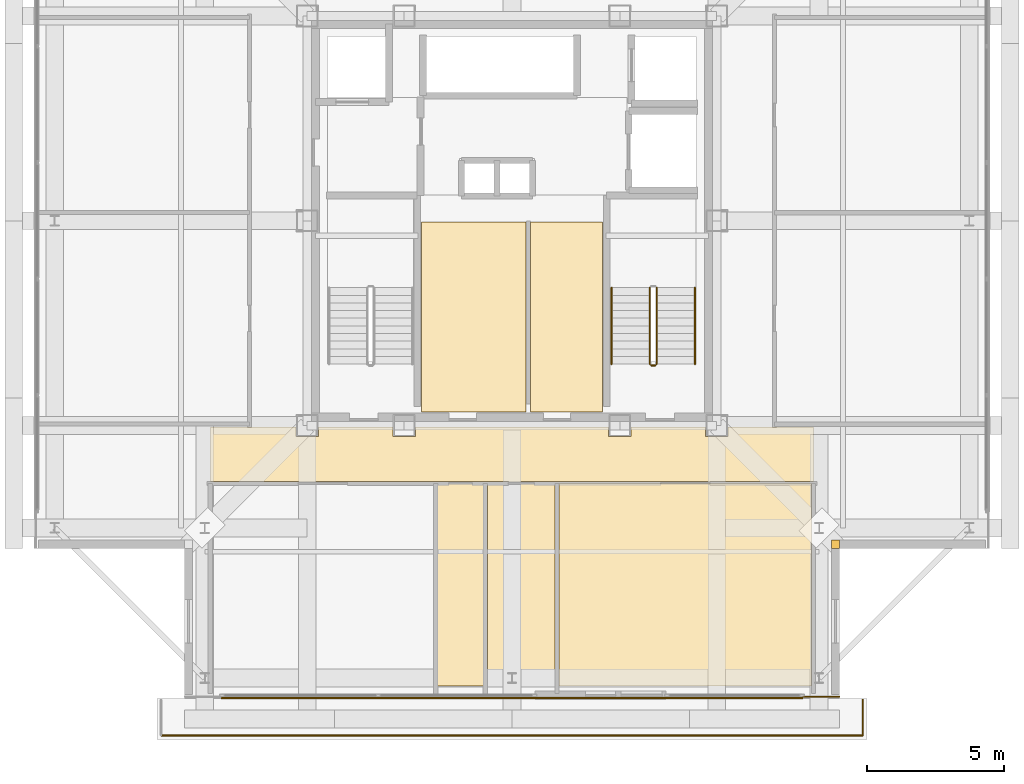
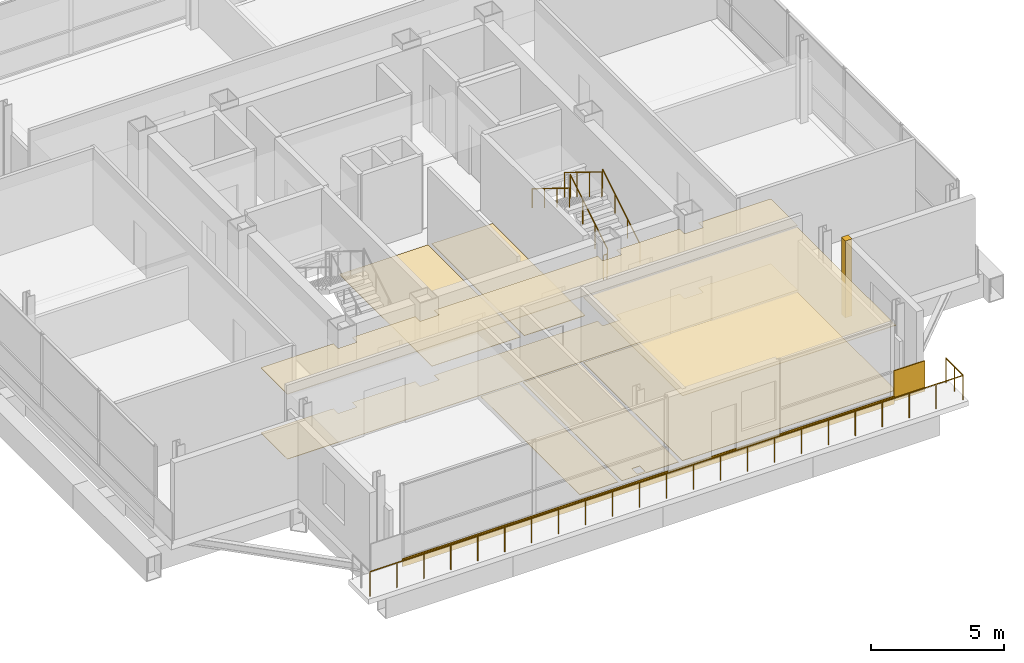
# One storey, part 12 of 15: 11 coverings, 7 railings.
"""IFC4 building model written with IfcOpenShell, lengths in metres."""

from ifc_helpers import new_model, si_unit, direction, frame, frame_2d, origin, origin_2d, place, context, subcontext, project, spatial, polyline, rectangle, circle, outline, extrude, material, layer, layer_set, type_object, element, save


model = new_model("IFC4")

# Units and contexts
model_context = context("Model", 3, precision=1e-05, world=origin(), true_north=direction((0.0, 1.0)))
body_context = subcontext(model_context, "Body", "Model", "MODEL_VIEW")
ifc_project = project(units=[si_unit("LENGTHUNIT", "METRE"), si_unit("AREAUNIT", "SQUARE_METRE"), si_unit("VOLUMEUNIT", "CUBIC_METRE"), si_unit("PLANEANGLEUNIT", "RADIAN"), si_unit("MASSUNIT", "GRAM", prefix="KILO")], contexts=[model_context])

# Site, building, storey
site_placement = place(None, origin())
site = spatial("IfcSite", under=ifc_project, at=site_placement, CompositionType="ELEMENT")
building_placement = place(site_placement, origin())
building = spatial("IfcBuilding", under=site, at=building_placement, Name="Trevonay Congress Spire", CompositionType="ELEMENT")
storey_placement = place(building_placement, frame((0.0, 0.0, 300.800048828125)))
storey = spatial("IfcBuildingStorey", under=building, at=storey_placement, Name="L79", CompositionType="ELEMENT", Elevation=300.800048828125)

# Coverings
ifc_material_1 = material(Name="Acoustic Mineral Fibre Board", Category="gypsum")
ifc_layer_1 = layer(ifc_material_1, 0.02490234375, Name="Acoustic Mineral Fibre Board")
ifc_layer_set_1 = layer_set([ifc_layer_1], Name="Acoustic Mineral Fibre Board")
covering_type_1 = type_object("IfcCoveringType", Name="COV-CEIL-ACOUSTIC", PredefinedType="CEILING", material=ifc_layer_set_1)
covering_1_placement = place(storey_placement, frame((0.0, 0.0, 2.969970703125)))
element("IfcCovering", 1, at=covering_1_placement, inside=storey, type_object=covering_type_1, Name="L79 Crown Gallery Corridor South acoustic suspended ceiling", PredefinedType="CEILING", context=body_context, shape_type="SweptSolid", body=[
    extrude(outline(polyline([(11.050048828125, -7.550048828125), (11.050048828125, -9.550048828125), (-11.050048828125, -9.550048828125), (-11.050048828125, -7.550048828125), (-7.909912109375, -7.550048828125), (-7.909912109375, -7.909912109375), (-7.090087890625, -7.909912109375), (-7.090087890625, -7.550048828125), (-4.360107421875, -7.550048828125), (-4.360107421875, -7.909912109375), (-3.5400390625, -7.909912109375), (-3.5400390625, -7.550048828125), (3.5400390625, -7.550048828125), (3.5400390625, -7.909912109375), (4.360107421875, -7.909912109375), (4.360107421875, -7.550048828125), (7.090087890625, -7.550048828125), (7.090087890625, -7.909912109375), (7.909912109375, -7.909912109375), (7.909912109375, -7.550048828125), (11.050048828125, -7.550048828125)])), origin(), (0.0, 0.0, 1.0), 0.02490234375),
])
covering_2_placement = place(storey_placement, frame((0.0, 0.0, 2.969970703125)))
element("IfcCovering", 2, at=covering_2_placement, inside=storey, type_object=covering_type_1, Name="L79 Crown Cocktail Bar acoustic suspended ceiling", PredefinedType="CEILING", context=body_context, shape_type="SweptSolid", body=[
    extrude(outline(polyline([(1.72998046875, -17.050048828125), (10.969970703125, -17.050048828125), (10.969970703125, -9.6201171875), (1.72998046875, -9.6201171875), (1.72998046875, -17.050048828125)])), origin(), (0.0, 0.0, 1.0), 0.02490234375),
])
ifc_material_2 = material(Name="Polished Granite Floor Tile", Category="masonry")
ifc_layer_2 = layer(ifc_material_2, 0.02001953125, Name="Polished Granite Floor Tile")
ifc_layer_set_2 = layer_set([ifc_layer_2], Name="Polished Granite Floor Tile")
covering_type_2 = type_object("IfcCoveringType", Name="COV-FLOOR-STONE", PredefinedType="FLOORING", material=ifc_layer_set_2)
covering_3_placement = place(storey_placement, origin())
element("IfcCovering", 3, at=covering_3_placement, inside=storey, type_object=covering_type_2, Name="L79 Core Electrical Sub-Board Room floor finish", PredefinedType="FLOORING", context=body_context, shape_type="SweptSolid", body=[
    extrude(outline(polyline([(-3.320068359375, -7.0), (0.52001953125, -7.0), (0.52001953125, -0.050048828125), (-3.320068359375, -0.050048828125), (-3.320068359375, -7.0)])), origin(), (0.0, 0.0, 1.0), 0.02001953125),
])
covering_4_placement = place(storey_placement, origin())
element("IfcCovering", 4, at=covering_4_placement, inside=storey, type_object=covering_type_2, Name="L79 Cleaner and Housekeeping Store floor finish", PredefinedType="FLOORING", context=body_context, shape_type="SweptSolid", body=[
    extrude(outline(polyline([(0.679931640625, -7.0), (3.320068359375, -7.0), (3.320068359375, -0.050048828125), (0.679931640625, -0.050048828125), (0.679931640625, -7.0)])), origin(), (0.0, 0.0, 1.0), 0.02001953125),
])
covering_5_placement = place(storey_placement, origin())
element("IfcCovering", 5, at=covering_5_placement, inside=storey, type_object=covering_type_2, Name="L79 Crown Gallery Corridor South floor finish", PredefinedType="FLOORING", context=body_context, shape_type="SweptSolid", body=[
    extrude(outline(polyline([(11.050048828125, -7.550048828125), (11.050048828125, -9.550048828125), (-11.050048828125, -9.550048828125), (-11.050048828125, -7.550048828125), (-7.909912109375, -7.550048828125), (-7.909912109375, -7.909912109375), (-7.090087890625, -7.909912109375), (-7.090087890625, -7.550048828125), (-4.360107421875, -7.550048828125), (-4.360107421875, -7.909912109375), (-3.5400390625, -7.909912109375), (-3.5400390625, -7.550048828125), (3.5400390625, -7.550048828125), (3.5400390625, -7.909912109375), (4.360107421875, -7.909912109375), (4.360107421875, -7.550048828125), (7.090087890625, -7.550048828125), (7.090087890625, -7.909912109375), (7.909912109375, -7.909912109375), (7.909912109375, -7.550048828125), (11.050048828125, -7.550048828125)])), origin(), (0.0, 0.0, 1.0), 0.02001953125),
])
covering_6_placement = place(storey_placement, origin())
element("IfcCovering", 6, at=covering_6_placement, inside=storey, type_object=covering_type_2, Name="L79 Accessible WC floor finish", PredefinedType="FLOORING", context=body_context, shape_type="SweptSolid", body=[
    extrude(outline(polyline([(-2.719970703125, -17.050048828125), (-1.050048828125, -17.050048828125), (-1.050048828125, -9.6201171875), (-2.719970703125, -9.6201171875), (-2.719970703125, -17.050048828125)])), origin(), (0.0, 0.0, 1.0), 0.02001953125),
])
covering_7_placement = place(storey_placement, origin())
element("IfcCovering", 7, at=covering_7_placement, inside=storey, type_object=covering_type_2, Name="L79 Floor Supplies and Copy Room floor finish", PredefinedType="FLOORING", context=body_context, shape_type="SweptSolid", body=[
    extrude(outline(polyline([(-0.889892578125, -9.6201171875), (1.570068359375, -9.6201171875), (1.570068359375, -17.050048828125), (-0.889892578125, -17.050048828125), (-0.889892578125, -9.6201171875)]), holes=[polyline([(0.1708984375, -16.946044921875), (0.1708984375, -16.553955078125), (-0.1708984375, -16.553955078125), (-0.1708984375, -16.946044921875), (0.1708984375, -16.946044921875)])]), origin(), (0.0, 0.0, 1.0), 0.02001953125),
])
covering_8_placement = place(storey_placement, origin())
element("IfcCovering", 8, at=covering_8_placement, inside=storey, type_object=covering_type_2, Name="L79 Crown Cocktail Bar floor finish", PredefinedType="FLOORING", context=body_context, shape_type="SweptSolid", body=[
    extrude(outline(polyline([(1.72998046875, -17.050048828125), (10.969970703125, -17.050048828125), (10.969970703125, -9.6201171875), (1.72998046875, -9.6201171875), (1.72998046875, -17.050048828125)])), origin(), (0.0, 0.0, 1.0), 0.02001953125),
])
ifc_material_3 = material(Name="Pale Anodised Aluminium EN AW-6063-T6", Category="aluminium")
ifc_layer_3 = layer(ifc_material_3, 0.0400390625, Name="Pale Anodised Aluminium EN AW-6063-T6")
ifc_layer_set_3 = layer_set([ifc_layer_3], Name="Pale Anodised Aluminium EN AW-6063-T6")
covering_type_3 = type_object("IfcCoveringType", Name="COV-SPANDREL-PALE-METAL", PredefinedType="CLADDING", material=ifc_layer_set_3)
covering_9_placement = place(storey_placement, frame((-10.64990234375, -17.47998046875, -0.239990234375), z_axis=(0.0, 0.0, 1.0), x_axis=(1.0, 0.0, 0.0)))
element("IfcCovering", 9, at=covering_9_placement, inside=storey, type_object=covering_type_3, Name="L79 S pale-metal slab-edge spandrel cladding", PredefinedType="CLADDING", context=body_context, shape_type="SweptSolid", body=[
    extrude(rectangle(XDim=21.2998046875, YDim=0.0400390625, at=frame_2d((10.64990234375, 0.0))), origin(), (0.0, 0.0, 1.0), 0.35986328125),
])
covering_10_placement = place(storey_placement, origin())
element("IfcCovering", 10, at=covering_10_placement, inside=storey, type_object=covering_type_3, Name="L79 SE re-entrant notch corner closure trim", PredefinedType="CLADDING", context=body_context, shape_type="SweptSolid", body=[
    extrude(outline(polyline([(11.699951171875, -12.0), (12.0, -12.0), (12.0, -11.699951171875), (11.699951171875, -11.699951171875), (11.699951171875, -12.0)])), origin(), (0.0, 0.0, 1.0), 3.52001953125),
])
covering_11_placement = place(storey_placement, frame((10.64990234375, -17.43994140625, -0.150146484375), z_axis=(0.0, 0.0, 1.0), x_axis=(1.0, 0.0, 0.0)))
element("IfcCovering", 11, at=covering_11_placement, inside=storey, type_object=covering_type_3, Name="L79 SE corner pier spandrel cladding 2", PredefinedType="CLADDING", context=body_context, shape_type="SweptSolid", body=[
    extrude(rectangle(XDim=1.35009765625, YDim=0.0400390625, at=frame_2d((0.675048828125, 0.0))), origin(), (0.0, 0.0, 1.0), 1.400146484375),
])

# Railings
railing_type_1 = type_object("IfcRailingType", Name="RAL-BALUSTRADE-115", PredefinedType="BALUSTRADE", material=ifc_material_3)
railing_1_placement = place(storey_placement, frame((-12.85009765625, -18.85009765625, 0.0)))
element("IfcRailing", 12, at=railing_1_placement, inside=storey, type_object=railing_type_1, Name="L79 perimeter safety guard GRD-L79-SKY-S-2", PredefinedType="BALUSTRADE", context=body_context, shape_type="SweptSolid", body=[
    extrude(circle(Radius=0.02392578125, at=origin_2d()), frame((0.0, 0.0, 1.1259765625), z_axis=(1.0, 0.0, 0.0), x_axis=(0.0, 1.0, 0.0)), (0.0, 0.0, 1.0), 25.7001953125),
    extrude(circle(Radius=0.02099609375, at=origin_2d()), origin(), (0.0, 0.0, 1.0), 1.101806640625),
    extrude(circle(Radius=0.02099609375, at=origin_2d()), frame((1.168212890625, 0.0, 0.0)), (0.0, 0.0, 1.0), 1.101806640625),
    extrude(circle(Radius=0.02099609375, at=origin_2d()), frame((2.33642578125, 0.0, 0.0)), (0.0, 0.0, 1.0), 1.101806640625),
    extrude(circle(Radius=0.02099609375, at=origin_2d()), frame((3.504638671875, 0.0, 0.0)), (0.0, 0.0, 1.0), 1.101806640625),
    extrude(circle(Radius=0.02099609375, at=origin_2d()), frame((4.6728515625, 0.0, 0.0)), (0.0, 0.0, 1.0), 1.101806640625),
    extrude(circle(Radius=0.02099609375, at=origin_2d()), frame((5.841064453125, 0.0, 0.0)), (0.0, 0.0, 1.0), 1.101806640625),
    extrude(circle(Radius=0.02099609375, at=origin_2d()), frame((7.009033203125, 0.0, 0.0)), (0.0, 0.0, 1.0), 1.101806640625),
    extrude(circle(Radius=0.02099609375, at=origin_2d()), frame((8.17724609375, 0.0, 0.0)), (0.0, 0.0, 1.0), 1.101806640625),
    extrude(circle(Radius=0.02099609375, at=origin_2d()), frame((9.345458984375, 0.0, 0.0)), (0.0, 0.0, 1.0), 1.101806640625),
    extrude(circle(Radius=0.02099609375, at=origin_2d()), frame((10.513671875, 0.0, 0.0)), (0.0, 0.0, 1.0), 1.101806640625),
    extrude(circle(Radius=0.02099609375, at=origin_2d()), frame((11.681884765625, 0.0, 0.0)), (0.0, 0.0, 1.0), 1.101806640625),
    extrude(circle(Radius=0.02099609375, at=origin_2d()), frame((12.85009765625, 0.0, 0.0)), (0.0, 0.0, 1.0), 1.101806640625),
    extrude(circle(Radius=0.02099609375, at=origin_2d()), frame((14.018310546875, 0.0, 0.0)), (0.0, 0.0, 1.0), 1.101806640625),
    extrude(circle(Radius=0.02099609375, at=origin_2d()), frame((15.1865234375, 0.0, 0.0)), (0.0, 0.0, 1.0), 1.101806640625),
    extrude(circle(Radius=0.02099609375, at=origin_2d()), frame((16.354736328125, 0.0, 0.0)), (0.0, 0.0, 1.0), 1.101806640625),
    extrude(circle(Radius=0.02099609375, at=origin_2d()), frame((17.52294921875, 0.0, 0.0)), (0.0, 0.0, 1.0), 1.101806640625),
    extrude(circle(Radius=0.02099609375, at=origin_2d()), frame((18.691162109375, 0.0, 0.0)), (0.0, 0.0, 1.0), 1.101806640625),
    extrude(circle(Radius=0.02099609375, at=origin_2d()), frame((19.859130859375, 0.0, 0.0)), (0.0, 0.0, 1.0), 1.101806640625),
    extrude(circle(Radius=0.02099609375, at=origin_2d()), frame((21.02734375, 0.0, 0.0)), (0.0, 0.0, 1.0), 1.101806640625),
    extrude(circle(Radius=0.02099609375, at=origin_2d()), frame((22.195556640625, 0.0, 0.0)), (0.0, 0.0, 1.0), 1.101806640625),
    extrude(circle(Radius=0.02099609375, at=origin_2d()), frame((23.36376953125, 0.0, 0.0)), (0.0, 0.0, 1.0), 1.101806640625),
    extrude(circle(Radius=0.02099609375, at=origin_2d()), frame((24.531982421875, 0.0, 0.0)), (0.0, 0.0, 1.0), 1.101806640625),
    extrude(circle(Radius=0.02099609375, at=origin_2d()), frame((25.7001953125, 0.0, 0.0)), (0.0, 0.0, 1.0), 1.101806640625),
])
railing_2_placement = place(storey_placement, frame((12.85009765625, -18.85009765625, 0.0)))
element("IfcRailing", 13, at=railing_2_placement, inside=storey, type_object=railing_type_1, Name="L79 perimeter safety guard GRD-L79-SKY-S-3", PredefinedType="BALUSTRADE", context=body_context, shape_type="SweptSolid", body=[
    extrude(circle(Radius=0.02392578125, at=origin_2d()), frame((0.0, 0.0, 1.1259765625), z_axis=(0.0, 1.0, 0.0), x_axis=(-1.0, 0.0, 0.0)), (0.0, 0.0, 1.0), 1.300048828125),
    extrude(circle(Radius=0.02099609375, at=origin_2d()), origin(), (0.0, 0.0, 1.0), 1.101806640625),
    extrude(circle(Radius=0.02099609375, at=origin_2d()), frame((0.0, 0.64990234375, 0.0)), (0.0, 0.0, 1.0), 1.101806640625),
    extrude(circle(Radius=0.02099609375, at=origin_2d()), frame((0.0, 1.300048828125, 0.0)), (0.0, 0.0, 1.0), 1.101806640625),
])
railing_type_2 = type_object("IfcRailingType", Name="RAL-STAIR-GUARD-110", PredefinedType="GUARDRAIL", material=ifc_material_3)
railing_3_placement = place(storey_placement, frame((5.300048828125, -5.25, 0.172607421875)))
element("IfcRailing", 14, at=railing_3_placement, inside=storey, type_object=railing_type_2, Name="L79 ST-2 stair guard 1", PredefinedType="GUARDRAIL", context=body_context, shape_type="SweptSolid", body=[
    extrude(circle(Radius=0.02392578125, at=origin_2d()), frame((0.0, 0.0, 1.1259765625), z_axis=(0.0, 0.851089632645, 0.525020415988), x_axis=(-1.0, 0.0, 0.0)), (0.0, 0.0, 1.0), 3.2900390625),
    extrude(circle(Radius=0.02099609375, at=origin_2d()), origin(), (0.0, 0.0, 1.0), 1.101806640625),
    extrude(circle(Radius=0.02099609375, at=origin_2d()), frame((0.0, 0.933349609375, 0.57568359375)), (0.0, 0.0, 1.0), 1.101806640625),
    extrude(circle(Radius=0.02099609375, at=origin_2d()), frame((0.0, 1.86669921875, 1.151611328125)), (0.0, 0.0, 1.0), 1.101806640625),
    extrude(circle(Radius=0.02099609375, at=origin_2d()), frame((0.0, 2.800048828125, 1.727294921875)), (0.0, 0.0, 1.0), 1.101806640625),
])
railing_4_placement = place(storey_placement, frame((5.050048828125, -2.449951171875, 2.07275390625)))
element("IfcRailing", 15, at=railing_4_placement, inside=storey, type_object=railing_type_2, Name="L79 ST-2 stair guard 3", PredefinedType="GUARDRAIL", context=body_context, shape_type="SweptSolid", body=[
    extrude(circle(Radius=0.02392578125, at=origin_2d()), frame((0.0, 0.0, 1.1259765625), z_axis=(0.0, -0.851089632645, 0.525020415988), x_axis=(1.0, 0.0, 0.0)), (0.0, 0.0, 1.0), 3.2900390625),
    extrude(circle(Radius=0.02099609375, at=origin_2d()), origin(), (0.0, 0.0, 1.0), 1.101806640625),
    extrude(circle(Radius=0.02099609375, at=origin_2d()), frame((0.0, -0.933349609375, 0.57568359375)), (0.0, 0.0, 1.0), 1.101806640625),
    extrude(circle(Radius=0.02099609375, at=origin_2d()), frame((0.0, -1.86669921875, 1.151611328125)), (0.0, 0.0, 1.0), 1.101806640625),
    extrude(circle(Radius=0.02099609375, at=origin_2d()), frame((0.0, -2.800048828125, 1.727294921875)), (0.0, 0.0, 1.0), 1.101806640625),
])
railing_5_placement = place(storey_placement, frame((5.25, -5.300048828125, 0.0)))
element("IfcRailing", 16, at=railing_5_placement, inside=storey, type_object=railing_type_2, Name="L79 ST-2 stair guard 4", PredefinedType="GUARDRAIL", context=body_context, shape_type="SweptSolid", body=[
    extrude(circle(Radius=0.02392578125, at=origin_2d()), frame((0.0, 0.0, 1.1259765625), z_axis=(-1.0, 0.0, 0.0), x_axis=(0.0, -1.0, 0.0)), (0.0, 0.0, 1.0), 0.14990234375),
    extrude(circle(Radius=0.02099609375, at=origin_2d()), origin(), (0.0, 0.0, 1.0), 1.101806640625),
    extrude(circle(Radius=0.02099609375, at=origin_2d()), frame((-0.14990234375, 0.0, 0.0)), (0.0, 0.0, 1.0), 1.101806640625),
])
railing_type_3 = type_object("IfcRailingType", Name="RAL-STAIR-HANDRAIL", PredefinedType="HANDRAIL", material=ifc_material_3)
railing_6_placement = place(storey_placement, frame((6.699951171875, -5.25, 0.172607421875)))
element("IfcRailing", 17, at=railing_6_placement, inside=storey, type_object=railing_type_3, Name="L79 ST-2 stair handrail 1", PredefinedType="HANDRAIL", context=body_context, shape_type="SweptSolid", body=[
    extrude(circle(Radius=0.02392578125, at=origin_2d()), frame((0.0, 0.0, 0.8759765625), z_axis=(0.0, 0.851089632645, 0.525020415988), x_axis=(-1.0, 0.0, 0.0)), (0.0, 0.0, 1.0), 3.2900390625),
    extrude(circle(Radius=0.02099609375, at=origin_2d()), origin(), (0.0, 0.0, 1.0), 0.851806640625),
    extrude(circle(Radius=0.02099609375, at=origin_2d()), frame((0.0, 0.933349609375, 0.57568359375)), (0.0, 0.0, 1.0), 0.851806640625),
    extrude(circle(Radius=0.02099609375, at=origin_2d()), frame((0.0, 1.86669921875, 1.151611328125)), (0.0, 0.0, 1.0), 0.851806640625),
    extrude(circle(Radius=0.02099609375, at=origin_2d()), frame((0.0, 2.800048828125, 1.727294921875)), (0.0, 0.0, 1.0), 0.851806640625),
])
railing_7_placement = place(storey_placement, frame((3.64990234375, -2.449951171875, 2.07275390625)))
element("IfcRailing", 18, at=railing_7_placement, inside=storey, type_object=railing_type_3, Name="L79 ST-2 stair handrail 2", PredefinedType="HANDRAIL", context=body_context, shape_type="SweptSolid", body=[
    extrude(circle(Radius=0.02392578125, at=origin_2d()), frame((0.0, 0.0, 0.8759765625), z_axis=(0.0, -0.851089632645, 0.525020415988), x_axis=(1.0, 0.0, 0.0)), (0.0, 0.0, 1.0), 3.2900390625),
    extrude(circle(Radius=0.02099609375, at=origin_2d()), origin(), (0.0, 0.0, 1.0), 0.851806640625),
    extrude(circle(Radius=0.02099609375, at=origin_2d()), frame((0.0, -0.933349609375, 0.57568359375)), (0.0, 0.0, 1.0), 0.851806640625),
    extrude(circle(Radius=0.02099609375, at=origin_2d()), frame((0.0, -1.86669921875, 1.151611328125)), (0.0, 0.0, 1.0), 0.851806640625),
    extrude(circle(Radius=0.02099609375, at=origin_2d()), frame((0.0, -2.800048828125, 1.727294921875)), (0.0, 0.0, 1.0), 0.851806640625),
])

save(model, "model.ifc")
